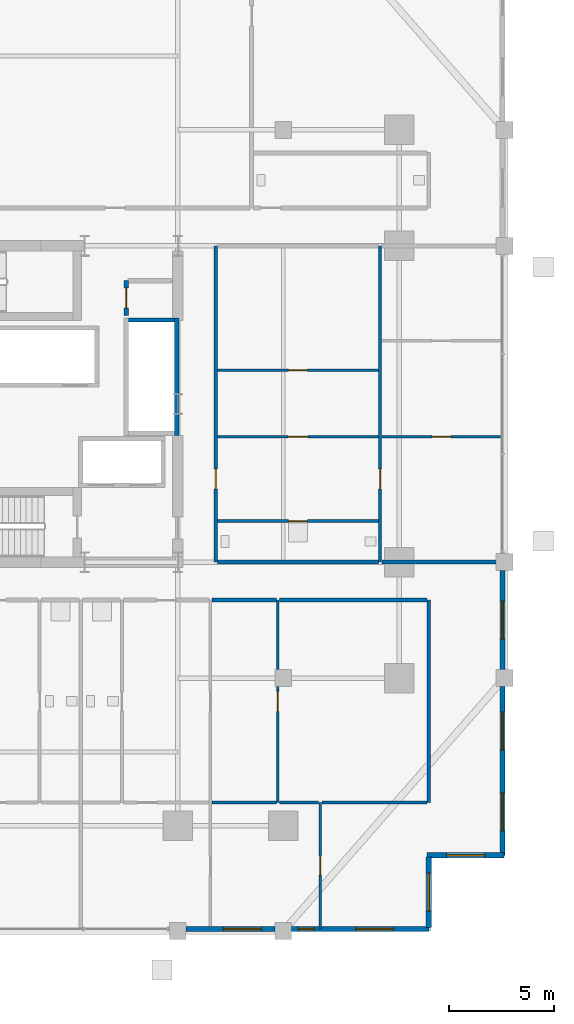
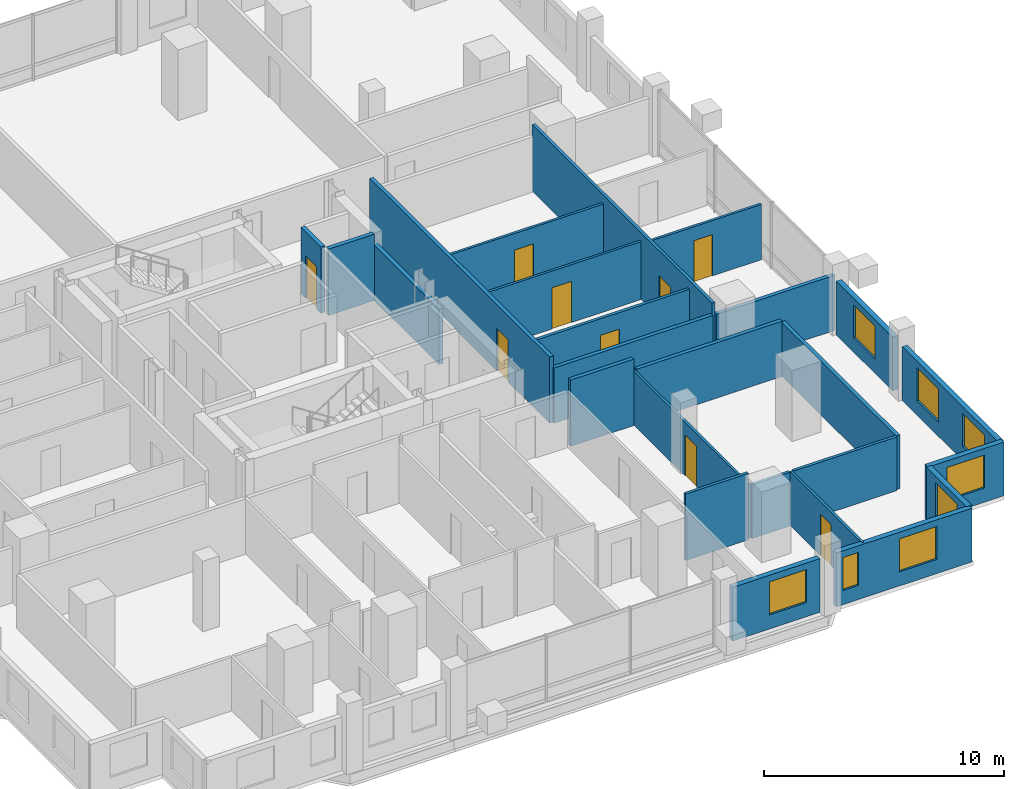
# One storey, part 19 of 23: 25 walls, 9 doors, 8 windows, 17 openings.
"""IFC4 building model written with IfcOpenShell, lengths in metres."""

from ifc_helpers import new_model, si_unit, direction, frame, frame_2d, origin, place, context, subcontext, project, spatial, rectangle, extrude, material, layer, layer_set, type_object, element, fill, save


model = new_model("IFC4")

# Units and contexts
model_context = context("Model", 3, precision=1e-05, world=origin(), true_north=direction((0.0, 1.0)))
body_context = subcontext(model_context, "Body", "Model", "MODEL_VIEW")
ifc_project = project(units=[si_unit("LENGTHUNIT", "METRE"), si_unit("AREAUNIT", "SQUARE_METRE"), si_unit("VOLUMEUNIT", "CUBIC_METRE"), si_unit("PLANEANGLEUNIT", "RADIAN"), si_unit("MASSUNIT", "GRAM", prefix="KILO")], contexts=[model_context])

# Site, building, storey
site_placement = place(None, origin())
site = spatial("IfcSite", under=ifc_project, at=site_placement, CompositionType="ELEMENT")
building_placement = place(site_placement, origin())
building = spatial("IfcBuilding", under=site, at=building_placement, Name="Barlavira Tower and Art Museum", CompositionType="ELEMENT")
storey_placement = place(building_placement, frame((0.0, 0.0, 54.0)))
storey = spatial("IfcBuildingStorey", under=building, at=storey_placement, Name="L12", CompositionType="ELEMENT", Elevation=54.0)

# Wall, opening, door
ifc_material_1 = material(Name="Gypsum acoustic stud partition", Category="gypsum")
ifc_layer_1 = layer(ifc_material_1, 0.1201171875, Name="Gypsum acoustic stud partition")
ifc_layer_set_1 = layer_set([ifc_layer_1], Name="Gypsum acoustic stud partition")
wall_type_1 = type_object("IfcWallType", Name="Apartment Internal Acoustic Partition 120", PredefinedType="PARTITIONING", material=ifc_layer_set_1)
wall_1_placement = place(storey_placement, frame((11.25, -18.89990234375, 0.0), z_axis=(0.0, 0.0, 1.0), x_axis=(0.0, 1.0, 0.0)))
wall_1 = element("IfcWall", 1, at=wall_1_placement, inside=storey, type_object=wall_type_1, Name="L12 Partition Wall 16", PredefinedType="PARTITIONING", context=body_context, shape_type="SweptSolid", body=[
    extrude(rectangle(XDim=9.599853515625, YDim=0.1201171875, at=frame_2d((4.7998046875, 0.0))), origin(), (0.0, 0.0, 1.0), 2.736083984375),
])
opening_1_placement = place(wall_1_placement, frame((4.324951171875, 0.0, 0.0)))
opening_1 = element("IfcOpeningElement", 2, at=opening_1_placement, cuts=wall_1, Name="Opening D-02", PredefinedType="OPENING", context=body_context, shape_type="SweptSolid", body=[
    extrude(rectangle(XDim=0.949951171875, YDim=2.10009765625, at=frame_2d((0.47509765625, 1.050048828125))), frame((0.0, 0.070068359375, 0.0), z_axis=(0.0, -1.0, 0.0), x_axis=(1.0, 0.0, 0.0)), (0.0, 0.0, 1.0), 0.14013671875),
])
ifc_material_2 = material(Name="Engineered coastal hardwood", Category="wood")
door_type_1 = type_object("IfcDoorType", Name="Living and Salon Glazed-Leaf Door 950x2100", OperationType="NOTDEFINED", PredefinedType="DOOR", material=ifc_material_2)
door_1_placement = place(opening_1_placement, origin())
door_1 = element("IfcDoor", 3, at=door_1_placement, inside=storey, type_object=door_type_1, Name="Apartment S2 Dining Salon Door", OperationType="SINGLE_SWING_RIGHT", OverallHeight=2.10009765625, OverallWidth=0.949951171875, PredefinedType="DOOR", context=body_context, shape_type="SweptSolid", body=[
    extrude(rectangle(XDim=0.949951171875, YDim=2.10009765625, at=frame_2d((0.47509765625, 1.050048828125))), frame((0.0, 0.02490234375, 0.0), z_axis=(0.0, -1.0, 0.0), x_axis=(1.0, 0.0, 0.0)), (0.0, 0.0, 1.0), 0.050048828125),
])
fill(opening_1, door_1)

wall_2_placement = place(storey_placement, frame((13.25, -24.89990234375, 0.0), z_axis=(0.0, 0.0, 1.0), x_axis=(0.0, 1.0, 0.0)))
wall_2 = element("IfcWall", 4, at=wall_2_placement, inside=storey, type_object=wall_type_1, Name="L12 Partition Wall 17", PredefinedType="PARTITIONING", context=body_context, shape_type="SweptSolid", body=[
    extrude(rectangle(XDim=6.0, YDim=0.1201171875, at=frame_2d((3.0, 0.0))), origin(), (0.0, 0.0, 1.0), 2.736083984375),
])
opening_2_placement = place(wall_2_placement, frame((2.550048828125, 0.0, 0.0)))
opening_2 = element("IfcOpeningElement", 5, at=opening_2_placement, cuts=wall_2, Name="Opening D-01", PredefinedType="OPENING", context=body_context, shape_type="SweptSolid", body=[
    extrude(rectangle(XDim=0.89990234375, YDim=2.10009765625, at=frame_2d((0.449951171875, 1.050048828125))), frame((0.0, 0.070068359375, 0.0), z_axis=(0.0, -1.0, 0.0), x_axis=(1.0, 0.0, 0.0)), (0.0, 0.0, 1.0), 0.14013671875),
])
door_type_2 = type_object("IfcDoorType", Name="Internal Bedroom Timber Flush Door 900x2100", OperationType="NOTDEFINED", PredefinedType="DOOR", material=ifc_material_2)
door_2_placement = place(opening_2_placement, origin())
door_2 = element("IfcDoor", 6, at=door_2_placement, inside=storey, type_object=door_type_2, Name="Apartment S2 Bedroom 2 Door", OperationType="SINGLE_SWING_LEFT", OverallHeight=2.10009765625, OverallWidth=0.89990234375, PredefinedType="DOOR", context=body_context, shape_type="SweptSolid", body=[
    extrude(rectangle(XDim=0.89990234375, YDim=2.10009765625, at=frame_2d((0.449951171875, 1.050048828125))), frame((0.0, 0.02490234375, 0.0), z_axis=(0.0, -1.0, 0.0), x_axis=(1.0, 0.0, 0.0)), (0.0, 0.0, 1.0), 0.050048828125),
])
fill(opening_2, door_2)

wall_3_placement = place(storey_placement, frame((8.3798828125, -1.550048828125, 0.0), z_axis=(0.0, 0.0, 1.0), x_axis=(1.0, 0.0, 0.0)))
wall_3 = element("IfcWall", 7, at=wall_3_placement, inside=storey, type_object=wall_type_1, Name="L12 Partition Wall 47", PredefinedType="PARTITIONING", context=body_context, shape_type="SweptSolid", body=[
    extrude(rectangle(XDim=7.64013671875, YDim=0.1201171875, at=frame_2d((3.820068359375, 0.0))), origin(), (0.0, 0.0, 1.0), 2.947998046875),
])
opening_3_placement = place(wall_3_placement, frame((3.344970703125, 0.0, 0.0)))
opening_3 = element("IfcOpeningElement", 8, at=opening_3_placement, cuts=wall_3, Name="Opening D-02", PredefinedType="OPENING", context=body_context, shape_type="SweptSolid", body=[
    extrude(rectangle(XDim=0.949951171875, YDim=2.10009765625, at=frame_2d((0.47509765625, 1.050048828125))), frame((0.0, 0.070068359375, 0.0), z_axis=(0.0, -1.0, 0.0), x_axis=(1.0, 0.0, 0.0)), (0.0, 0.0, 1.0), 0.14013671875),
])
door_3_placement = place(opening_3_placement, origin())
door_3 = element("IfcDoor", 9, at=door_3_placement, inside=storey, type_object=door_type_1, Name="Apartment E1 Kitchen Door", OperationType="SINGLE_SWING_RIGHT", OverallHeight=2.10009765625, OverallWidth=0.949951171875, PredefinedType="DOOR", context=body_context, shape_type="SweptSolid", body=[
    extrude(rectangle(XDim=0.949951171875, YDim=2.10009765625, at=frame_2d((0.47509765625, 1.050048828125))), frame((0.0, 0.02490234375, 0.0), z_axis=(0.0, -1.0, 0.0), x_axis=(1.0, 0.0, 0.0)), (0.0, 0.0, 1.0), 0.050048828125),
])
fill(opening_3, door_3)

wall_4_placement = place(storey_placement, frame((16.179931640625, -1.550048828125, 0.0), z_axis=(0.0, 0.0, 1.0), x_axis=(1.0, 0.0, 0.0)))
wall_4 = element("IfcWall", 10, at=wall_4_placement, inside=storey, type_object=wall_type_1, Name="L12 Partition Wall 48", PredefinedType="PARTITIONING", context=body_context, shape_type="SweptSolid", body=[
    extrude(rectangle(XDim=5.64013671875, YDim=0.1201171875, at=frame_2d((2.820068359375, 0.0))), origin(), (0.0, 0.0, 1.0), 2.81591796875),
])
opening_4_placement = place(wall_4_placement, frame((2.3701171875, 0.0, 0.0)))
opening_4 = element("IfcOpeningElement", 11, at=opening_4_placement, cuts=wall_4, Name="Opening D-01", PredefinedType="OPENING", context=body_context, shape_type="SweptSolid", body=[
    extrude(rectangle(XDim=0.89990234375, YDim=2.10009765625, at=frame_2d((0.449951171875, 1.050048828125))), frame((0.0, 0.070068359375, 0.0), z_axis=(0.0, -1.0, 0.0), x_axis=(1.0, 0.0, 0.0)), (0.0, 0.0, 1.0), 0.14013671875),
])
door_4_placement = place(opening_4_placement, origin())
door_4 = element("IfcDoor", 12, at=door_4_placement, inside=storey, type_object=door_type_2, Name="Apartment E1 Bedroom 1 Door", OperationType="SINGLE_SWING_LEFT", OverallHeight=2.10009765625, OverallWidth=0.89990234375, PredefinedType="DOOR", context=body_context, shape_type="SweptSolid", body=[
    extrude(rectangle(XDim=0.89990234375, YDim=2.10009765625, at=frame_2d((0.449951171875, 1.050048828125))), frame((0.0, 0.02490234375, 0.0), z_axis=(0.0, -1.0, 0.0), x_axis=(1.0, 0.0, 0.0)), (0.0, 0.0, 1.0), 0.050048828125),
])
fill(opening_4, door_4)

wall_5_placement = place(storey_placement, frame((8.3798828125, 1.60009765625, 0.0), z_axis=(0.0, 0.0, 1.0), x_axis=(1.0, 0.0, 0.0)))
wall_5 = element("IfcWall", 13, at=wall_5_placement, inside=storey, type_object=wall_type_1, Name="L12 Partition Wall 52", PredefinedType="PARTITIONING", context=body_context, shape_type="SweptSolid", body=[
    extrude(rectangle(XDim=7.64013671875, YDim=0.1201171875, at=frame_2d((3.820068359375, 0.0))), origin(), (0.0, 0.0, 1.0), 2.947998046875),
])
opening_5_placement = place(wall_5_placement, frame((3.3701171875, 0.0, 0.0)))
opening_5 = element("IfcOpeningElement", 14, at=opening_5_placement, cuts=wall_5, Name="Opening D-01", PredefinedType="OPENING", context=body_context, shape_type="SweptSolid", body=[
    extrude(rectangle(XDim=0.89990234375, YDim=2.10009765625, at=frame_2d((0.449951171875, 1.050048828125))), frame((0.0, 0.070068359375, 0.0), z_axis=(0.0, -1.0, 0.0), x_axis=(1.0, 0.0, 0.0)), (0.0, 0.0, 1.0), 0.14013671875),
])
door_5_placement = place(opening_5_placement, origin())
door_5 = element("IfcDoor", 15, at=door_5_placement, inside=storey, type_object=door_type_2, Name="Apartment E1 Walk-In Dressing Room Door", OperationType="SINGLE_SWING_LEFT", OverallHeight=2.10009765625, OverallWidth=0.89990234375, PredefinedType="DOOR", context=body_context, shape_type="SweptSolid", body=[
    extrude(rectangle(XDim=0.89990234375, YDim=2.10009765625, at=frame_2d((0.449951171875, 1.050048828125))), frame((0.0, 0.02490234375, 0.0), z_axis=(0.0, -1.0, 0.0), x_axis=(1.0, 0.0, 0.0)), (0.0, 0.0, 1.0), 0.050048828125),
])
fill(opening_5, door_5)

# Walls
ifc_material_3 = material(Name="Autoclaved aerated concrete masonry", Category="masonry")
ifc_layer_2 = layer(ifc_material_3, 0.199951171875, Name="Autoclaved aerated concrete masonry")
ifc_layer_set_2 = layer_set([ifc_layer_2], Name="Autoclaved aerated concrete masonry")
wall_type_2 = type_object("IfcWallType", Name="Fire Compartment and Shaft Wall 200", PredefinedType="SOLIDWALL", material=ifc_layer_set_2)
wall_6_placement = place(storey_placement, frame((6.449951171875, -1.489990234375, 0.0), z_axis=(0.0, 0.0, 1.0), x_axis=(0.0, 1.0, 0.0)))
element("IfcWall", 16, at=wall_6_placement, inside=storey, type_object=wall_type_2, Name="L12 Mid-Rise Lift Back Shaft Wall", PredefinedType="SOLIDWALL", context=body_context, shape_type="SweptSolid", body=[
    extrude(rectangle(XDim=5.580078125, YDim=0.199951171875, at=frame_2d((2.7900390625, 0.0))), origin(), (0.0, 0.0, 1.0), 2.81591796875),
])
wall_7_placement = place(storey_placement, frame((4.14990234375, 3.989990234375, 0.0), z_axis=(0.0, 0.0, 1.0), x_axis=(1.0, 0.0, 0.0)))
element("IfcWall", 17, at=wall_7_placement, inside=storey, type_object=wall_type_2, Name="L12 Mid-Rise Lift North Shaft Wall", PredefinedType="SOLIDWALL", context=body_context, shape_type="SweptSolid", body=[
    extrude(rectangle(XDim=2.2001953125, YDim=0.199951171875, at=frame_2d((1.10009765625, 0.0))), origin(), (0.0, 0.0, 1.0), 3.3798828125),
])

# Wall, opening, door
wall_8_placement = place(storey_placement, frame((4.050048828125, 4.199951171875, 0.0), z_axis=(0.0, 0.0, 1.0), x_axis=(0.0, 1.0, 0.0)))
wall_8 = element("IfcWall", 18, at=wall_8_placement, inside=storey, type_object=wall_type_2, Name="L12 Partition Wall 12", PredefinedType="SOLIDWALL", context=body_context, shape_type="SweptSolid", body=[
    extrude(rectangle(XDim=1.650146484375, YDim=0.199951171875, at=frame_2d((0.8251953125, 0.0))), origin(), (0.0, 0.0, 1.0), 3.3798828125),
])
opening_6_placement = place(wall_8_placement, frame((0.344970703125, 0.0, 0.0)))
opening_6 = element("IfcOpeningElement", 19, at=opening_6_placement, cuts=wall_8, Name="Opening FD-60", PredefinedType="OPENING", context=body_context, shape_type="SweptSolid", body=[
    extrude(rectangle(XDim=0.949951171875, YDim=2.14990234375, at=frame_2d((0.47509765625, 1.074951171875))), frame((0.0, 0.10986328125, 0.0), z_axis=(0.0, -1.0, 0.0), x_axis=(1.0, 0.0, 0.0)), (0.0, 0.0, 1.0), 0.219970703125),
])
ifc_material_4 = material(Name="Brushed stainless steel", Category="steel")
door_type_3 = type_object("IfcDoorType", Name="Apartment Entrance and Riser Fire Door 950x2150 FD60S", OperationType="NOTDEFINED", PredefinedType="DOOR", material=ifc_material_4)
door_6_placement = place(opening_6_placement, origin())
door_6 = element("IfcDoor", 20, at=door_6_placement, inside=storey, type_object=door_type_3, Name="Telecom and BMS Distribution Room Door", OperationType="SINGLE_SWING_RIGHT", OverallHeight=2.14990234375, OverallWidth=0.949951171875, PredefinedType="DOOR", context=body_context, shape_type="SweptSolid", body=[
    extrude(rectangle(XDim=0.949951171875, YDim=2.14990234375, at=frame_2d((0.47509765625, 1.074951171875))), frame((0.0, 0.02490234375, 0.0), z_axis=(0.0, -1.0, 0.0), x_axis=(1.0, 0.0, 0.0)), (0.0, 0.0, 1.0), 0.050048828125),
])
fill(opening_6, door_6)

ifc_layer_3 = layer(ifc_material_1, 0.179931640625, Name="Gypsum acoustic stud partition")
ifc_layer_set_3 = layer_set([ifc_layer_3], Name="Gypsum acoustic stud partition")
wall_type_3 = type_object("IfcWallType", Name="Inter-Tenancy Party Partition Wall 180", PredefinedType="PARTITIONING", material=ifc_layer_set_3)
wall_9_placement = place(storey_placement, frame((8.300048828125, -7.5, 0.0), z_axis=(0.0, 0.0, 1.0), x_axis=(0.0, 1.0, 0.0)))
wall_9 = element("IfcWall", 21, at=wall_9_placement, inside=storey, type_object=wall_type_3, Name="L12 Partition Wall 14", PredefinedType="PARTITIONING", context=body_context, shape_type="SweptSolid", body=[
    extrude(rectangle(XDim=15.0, YDim=0.179931640625, at=frame_2d((7.5, 0.0))), origin(), (0.0, 0.0, 1.0), 3.3798828125),
])
opening_7_placement = place(wall_9_placement, frame((3.47509765625, 0.0, 0.0)))
opening_7 = element("IfcOpeningElement", 22, at=opening_7_placement, cuts=wall_9, Name="Opening FD-60", PredefinedType="OPENING", context=body_context, shape_type="SweptSolid", body=[
    extrude(rectangle(XDim=0.949951171875, YDim=2.14990234375, at=frame_2d((0.47509765625, 1.074951171875))), frame((0.0, 0.10009765625, 0.0), z_axis=(0.0, -1.0, 0.0), x_axis=(1.0, 0.0, 0.0)), (0.0, 0.0, 1.0), 0.199951171875),
])
door_7_placement = place(opening_7_placement, origin())
door_7 = element("IfcDoor", 23, at=door_7_placement, inside=storey, type_object=door_type_3, Name="Apartment Entrance Hall E1 Door", OperationType="SINGLE_SWING_LEFT", OverallHeight=2.14990234375, OverallWidth=0.949951171875, PredefinedType="DOOR", context=body_context, shape_type="SweptSolid", body=[
    extrude(rectangle(XDim=0.949951171875, YDim=2.14990234375, at=frame_2d((0.47509765625, 1.074951171875))), frame((0.0, 0.02490234375, 0.0), z_axis=(0.0, -1.0, 0.0), x_axis=(1.0, 0.0, 0.0)), (0.0, 0.0, 1.0), 0.050048828125),
])
fill(opening_7, door_7)

# Walls
wall_10_placement = place(storey_placement, frame((18.39990234375, -18.89990234375, 0.0), z_axis=(0.0, 0.0, 1.0), x_axis=(0.0, 1.0, 0.0)))
element("IfcWall", 24, at=wall_10_placement, inside=storey, type_object=wall_type_3, Name="L12 Partition Wall 19", PredefinedType="PARTITIONING", context=body_context, shape_type="SweptSolid", body=[
    extrude(rectangle(XDim=9.599853515625, YDim=0.179931640625, at=frame_2d((4.7998046875, 0.0))), origin(), (0.0, 0.0, 1.0), 2.736083984375),
])
wall_11_placement = place(storey_placement, frame((8.1298828125, -9.300048828125, 0.0), z_axis=(0.0, 0.0, 1.0), x_axis=(1.0, 0.0, 0.0)))
element("IfcWall", 25, at=wall_11_placement, inside=storey, type_object=wall_type_3, Name="L12 Partition Wall 38", PredefinedType="PARTITIONING", context=body_context, shape_type="SweptSolid", body=[
    extrude(rectangle(XDim=3.0400390625, YDim=0.179931640625, at=frame_2d((1.52001953125, 0.0))), origin(), (0.0, 0.0, 1.0), 3.3798828125),
])
wall_12_placement = place(storey_placement, frame((11.330078125, -9.300048828125, 0.0), z_axis=(0.0, 0.0, 1.0), x_axis=(1.0, 0.0, 0.0)))
element("IfcWall", 26, at=wall_12_placement, inside=storey, type_object=wall_type_3, Name="L12 Partition Wall 39", PredefinedType="PARTITIONING", context=body_context, shape_type="SweptSolid", body=[
    extrude(rectangle(XDim=6.989990234375, YDim=0.179931640625, at=frame_2d((3.4951171875, 0.0))), origin(), (0.0, 0.0, 1.0), 2.81591796875),
])
wall_13_placement = place(storey_placement, frame((8.3798828125, -7.5, 0.0), z_axis=(0.0, 0.0, 1.0), x_axis=(1.0, 0.0, 0.0)))
element("IfcWall", 27, at=wall_13_placement, inside=storey, type_object=wall_type_3, Name="L12 Partition Wall 42", PredefinedType="PARTITIONING", context=body_context, shape_type="SweptSolid", body=[
    extrude(rectangle(XDim=7.64013671875, YDim=0.179931640625, at=frame_2d((3.820068359375, 0.0))), origin(), (0.0, 0.0, 1.0), 2.81591796875),
])
wall_14_placement = place(storey_placement, frame((16.179931640625, -7.5, 0.0), z_axis=(0.0, 0.0, 1.0), x_axis=(1.0, 0.0, 0.0)))
element("IfcWall", 28, at=wall_14_placement, inside=storey, type_object=wall_type_3, Name="L12 Partition Wall 43", PredefinedType="PARTITIONING", context=body_context, shape_type="SweptSolid", body=[
    extrude(rectangle(XDim=5.719970703125, YDim=0.179931640625, at=frame_2d((2.85986328125, 0.0))), origin(), (0.0, 0.0, 1.0), 2.81591796875),
])

# Wall, opening, door
ifc_layer_4 = layer(ifc_material_1, 0.139892578125, Name="Gypsum acoustic stud partition")
ifc_layer_set_4 = layer_set([ifc_layer_4], Name="Gypsum acoustic stud partition")
wall_type_4 = type_object("IfcWallType", Name="Moisture-Resistant Bathroom Partition 140", PredefinedType="PARTITIONING", material=ifc_layer_set_4)
wall_15_placement = place(storey_placement, frame((16.10009765625, -7.5, 0.0), z_axis=(0.0, 0.0, 1.0), x_axis=(0.0, 1.0, 0.0)))
wall_15 = element("IfcWall", 29, at=wall_15_placement, inside=storey, type_object=wall_type_4, Name="L12 Partition Wall 18", PredefinedType="PARTITIONING", context=body_context, shape_type="SweptSolid", body=[
    extrude(rectangle(XDim=15.0, YDim=0.139892578125, at=frame_2d((7.5, 0.0))), origin(), (0.0, 0.0, 1.0), 3.3798828125),
])
opening_8_placement = place(wall_15_placement, frame((3.47509765625, 0.0, 0.0)))
opening_8 = element("IfcOpeningElement", 30, at=opening_8_placement, cuts=wall_15, Name="Opening D-02", PredefinedType="OPENING", context=body_context, shape_type="SweptSolid", body=[
    extrude(rectangle(XDim=0.949951171875, YDim=2.10009765625, at=frame_2d((0.47509765625, 1.050048828125))), frame((0.0, 0.080078125, 0.0), z_axis=(0.0, -1.0, 0.0), x_axis=(1.0, 0.0, 0.0)), (0.0, 0.0, 1.0), 0.159912109375),
])
door_8_placement = place(opening_8_placement, origin())
door_8 = element("IfcDoor", 31, at=door_8_placement, inside=storey, type_object=door_type_1, Name="Apartment E1 Living Lounge Door", OperationType="SINGLE_SWING_RIGHT", OverallHeight=2.10009765625, OverallWidth=0.949951171875, PredefinedType="DOOR", context=body_context, shape_type="SweptSolid", body=[
    extrude(rectangle(XDim=0.949951171875, YDim=2.10009765625, at=frame_2d((0.47509765625, 1.050048828125))), frame((0.0, 0.02490234375, 0.0), z_axis=(0.0, -1.0, 0.0), x_axis=(1.0, 0.0, 0.0)), (0.0, 0.0, 1.0), 0.050048828125),
])
fill(opening_8, door_8)

# Walls
wall_16_placement = place(storey_placement, frame((8.1298828125, -18.89990234375, 0.0), z_axis=(0.0, 0.0, 1.0), x_axis=(1.0, 0.0, 0.0)))
element("IfcWall", 32, at=wall_16_placement, inside=storey, type_object=wall_type_4, Name="L12 Partition Wall 29", PredefinedType="PARTITIONING", context=body_context, shape_type="SweptSolid", body=[
    extrude(rectangle(XDim=3.0400390625, YDim=0.139892578125, at=frame_2d((1.52001953125, 0.0))), origin(), (0.0, 0.0, 1.0), 3.3798828125),
])
wall_17_placement = place(storey_placement, frame((11.330078125, -18.89990234375, 0.0), z_axis=(0.0, 0.0, 1.0), x_axis=(1.0, 0.0, 0.0)))
element("IfcWall", 33, at=wall_17_placement, inside=storey, type_object=wall_type_4, Name="L12 Partition Wall 30", PredefinedType="PARTITIONING", context=body_context, shape_type="SweptSolid", body=[
    extrude(rectangle(XDim=1.83984375, YDim=0.139892578125, at=frame_2d((0.919921875, 0.0))), origin(), (0.0, 0.0, 1.0), 2.736083984375),
])
wall_18_placement = place(storey_placement, frame((13.330078125, -18.89990234375, 0.0), z_axis=(0.0, 0.0, 1.0), x_axis=(1.0, 0.0, 0.0)))
element("IfcWall", 34, at=wall_18_placement, inside=storey, type_object=wall_type_4, Name="L12 Partition Wall 31", PredefinedType="PARTITIONING", context=body_context, shape_type="SweptSolid", body=[
    extrude(rectangle(XDim=4.989990234375, YDim=0.139892578125, at=frame_2d((2.4951171875, 0.0))), origin(), (0.0, 0.0, 1.0), 2.736083984375),
])

# Wall, opening, door
wall_19_placement = place(storey_placement, frame((8.3798828125, -5.550048828125, 0.0), z_axis=(0.0, 0.0, 1.0), x_axis=(1.0, 0.0, 0.0)))
wall_19 = element("IfcWall", 35, at=wall_19_placement, inside=storey, type_object=wall_type_4, Name="L12 Partition Wall 45", PredefinedType="PARTITIONING", context=body_context, shape_type="SweptSolid", body=[
    extrude(rectangle(XDim=7.64013671875, YDim=0.139892578125, at=frame_2d((3.820068359375, 0.0))), origin(), (0.0, 0.0, 1.0), 2.947998046875),
])
opening_9_placement = place(wall_19_placement, frame((3.3701171875, 0.0, 0.0)))
opening_9 = element("IfcOpeningElement", 36, at=opening_9_placement, cuts=wall_19, Name="Opening D-WC", PredefinedType="OPENING", context=body_context, shape_type="SweptSolid", body=[
    extrude(rectangle(XDim=0.89990234375, YDim=2.10009765625, at=frame_2d((0.449951171875, 1.050048828125))), frame((0.0, 0.080078125, 0.0), z_axis=(0.0, -1.0, 0.0), x_axis=(1.0, 0.0, 0.0)), (0.0, 0.0, 1.0), 0.159912109375),
])
door_type_4 = type_object("IfcDoorType", Name="Accessible Bathroom Flush Door 900x2100", OperationType="NOTDEFINED", PredefinedType="DOOR", material=ifc_material_2)
door_9_placement = place(opening_9_placement, origin())
door_9 = element("IfcDoor", 37, at=door_9_placement, inside=storey, type_object=door_type_4, Name="Apartment E1 Hall Bathroom Door", OperationType="SINGLE_SWING_RIGHT", OverallHeight=2.10009765625, OverallWidth=0.89990234375, PredefinedType="DOOR", context=body_context, shape_type="SweptSolid", body=[
    extrude(rectangle(XDim=0.89990234375, YDim=2.10009765625, at=frame_2d((0.449951171875, 1.050048828125))), frame((0.0, 0.02490234375, 0.0), z_axis=(0.0, -1.0, 0.0), x_axis=(1.0, 0.0, 0.0)), (0.0, 0.0, 1.0), 0.050048828125),
])
fill(opening_9, door_9)

# Wall, opening, window
ifc_material_5 = material(Name="Precast concrete C40", Category="concrete")
ifc_layer_5 = layer(ifc_material_5, 0.25, Name="Precast concrete C40")
ifc_layer_set_5 = layer_set([ifc_layer_5], Name="Precast concrete C40")
wall_type_5 = type_object("IfcWallType", Name="Notched Corner Spandrel Wall 250 Precast Concrete C40", PredefinedType="SOLIDWALL", material=ifc_layer_set_5)
wall_20_placement = place(storey_placement, frame((6.89501953125, -24.89990234375, 0.0), z_axis=(0.0, 0.0, 1.0), x_axis=(1.0, 0.0, 0.0)))
wall_20 = element("IfcWall", 38, at=wall_20_placement, inside=storey, type_object=wall_type_5, Name="L12 Coastal Facade Pier Wall CW1-L12-S-4", PredefinedType="SOLIDWALL", context=body_context, shape_type="SweptSolid", body=[
    extrude(rectangle(XDim=4.2099609375, YDim=0.25, at=frame_2d((2.10498046875, 0.0))), origin(), (0.0, 0.0, 1.0), 2.736083984375),
])
opening_10_placement = place(wall_20_placement, frame((1.77001953125, 0.0, 0.719970703125)))
opening_10 = element("IfcOpeningElement", 39, at=opening_10_placement, cuts=wall_20, Name="Opening WN-01", PredefinedType="OPENING", context=body_context, shape_type="SweptSolid", body=[
    extrude(rectangle(XDim=1.800048828125, YDim=1.679931640625, at=frame_2d((0.89990234375, 0.83984375))), frame((0.0, 0.135009765625, 0.0), z_axis=(0.0, -1.0, 0.0), x_axis=(1.0, 0.0, 0.0)), (0.0, 0.0, 1.0), 0.27001953125),
])
ifc_material_6 = material(Name="Low-iron coastal laminated glass", Category="glass")
window_type_1 = type_object("IfcWindowType", Name="Recessed Notch Corner Punch Window 1800x1680", PartitioningType="SINGLE_PANEL", PredefinedType="WINDOW", material=ifc_material_6)
window_1_placement = place(opening_10_placement, origin())
window_1 = element("IfcWindow", 40, at=window_1_placement, inside=storey, type_object=window_type_1, Name="L12 Punched Facade Window EWP-CW1-L12-S-4-1", OverallHeight=1.679931640625, OverallWidth=1.800048828125, PartitioningType="SINGLE_PANEL", PredefinedType="WINDOW", context=body_context, shape_type="SweptSolid", body=[
    extrude(rectangle(XDim=1.800048828125, YDim=1.679931640625, at=frame_2d((0.89990234375, 0.83984375))), frame((0.0, 0.030029296875, 0.0), z_axis=(0.0, -1.0, 0.0), x_axis=(1.0, 0.0, 0.0)), (0.0, 0.0, 1.0), 0.06005859375),
])
fill(opening_10, window_1)

# Wall, openings, windows
wall_21_placement = place(storey_placement, frame((11.89501953125, -24.89990234375, 0.0), z_axis=(0.0, 0.0, 1.0), x_axis=(1.0, 0.0, 0.0)))
wall_21 = element("IfcWall", 41, at=wall_21_placement, inside=storey, type_object=wall_type_5, Name="L12 Coastal Facade Pier Wall CW1-L12-S-5", PredefinedType="SOLIDWALL", context=body_context, shape_type="SweptSolid", body=[
    extrude(rectangle(XDim=6.530029296875, YDim=0.25, at=frame_2d((3.26513671875, 0.0))), origin(), (0.0, 0.0, 1.0), 2.736083984375),
])
opening_11_placement = place(wall_21_placement, frame((0.31494140625, 0.0, 0.719970703125)))
opening_11 = element("IfcOpeningElement", 42, at=opening_11_placement, cuts=wall_21, Name="Opening WN-06", PredefinedType="OPENING", context=body_context, shape_type="SweptSolid", body=[
    extrude(rectangle(XDim=0.760009765625, YDim=1.679931640625, at=frame_2d((0.3798828125, 0.83984375))), frame((0.0, 0.135009765625, 0.0), z_axis=(0.0, -1.0, 0.0), x_axis=(1.0, 0.0, 0.0)), (0.0, 0.0, 1.0), 0.27001953125),
])
opening_12_placement = place(wall_21_placement, frame((3.0380859375, 0.0, 0.719970703125)))
opening_12 = element("IfcOpeningElement", 43, at=opening_12_placement, cuts=wall_21, Name="Opening WN-01", PredefinedType="OPENING", context=body_context, shape_type="SweptSolid", body=[
    extrude(rectangle(XDim=1.800048828125, YDim=1.679931640625, at=frame_2d((0.89990234375, 0.83984375))), frame((0.0, 0.135009765625, 0.0), z_axis=(0.0, -1.0, 0.0), x_axis=(1.0, 0.0, 0.0)), (0.0, 0.0, 1.0), 0.27001953125),
])
window_type_2 = type_object("IfcWindowType", Name="Recessed Narrow Pier Window 760x1680", PartitioningType="SINGLE_PANEL", PredefinedType="WINDOW", material=ifc_material_6)
window_2_placement = place(opening_11_placement, origin())
window_2 = element("IfcWindow", 44, at=window_2_placement, inside=storey, type_object=window_type_2, Name="L12 Punched Facade Window EWP-CW1-L12-S-5-1", OverallHeight=1.679931640625, OverallWidth=0.760009765625, PartitioningType="SINGLE_PANEL", PredefinedType="WINDOW", context=body_context, shape_type="SweptSolid", body=[
    extrude(rectangle(XDim=0.760009765625, YDim=1.679931640625, at=frame_2d((0.3798828125, 0.83984375))), frame((0.0, 0.030029296875, 0.0), z_axis=(0.0, -1.0, 0.0), x_axis=(1.0, 0.0, 0.0)), (0.0, 0.0, 1.0), 0.06005859375),
])
fill(opening_11, window_2)
window_3_placement = place(opening_12_placement, origin())
window_3 = element("IfcWindow", 45, at=window_3_placement, inside=storey, type_object=window_type_1, Name="L12 Punched Facade Window EWP-CW1-L12-S-5-2", OverallHeight=1.679931640625, OverallWidth=1.800048828125, PartitioningType="SINGLE_PANEL", PredefinedType="WINDOW", context=body_context, shape_type="SweptSolid", body=[
    extrude(rectangle(XDim=1.800048828125, YDim=1.679931640625, at=frame_2d((0.89990234375, 0.83984375))), frame((0.0, 0.030029296875, 0.0), z_axis=(0.0, -1.0, 0.0), x_axis=(1.0, 0.0, 0.0)), (0.0, 0.0, 1.0), 0.06005859375),
])
fill(opening_12, window_3)

wall_22_placement = place(storey_placement, frame((21.89990234375, -21.425048828125, 0.0), z_axis=(0.0, 0.0, 1.0), x_axis=(0.0, 1.0, 0.0)))
wall_22 = element("IfcWall", 46, at=wall_22_placement, inside=storey, type_object=wall_type_5, Name="L12 Coastal Facade Pier Wall CW1-L12-E-1", PredefinedType="SOLIDWALL", context=body_context, shape_type="SweptSolid", body=[
    extrude(rectangle(XDim=8.030029296875, YDim=0.25, at=frame_2d((4.01513671875, 0.0))), origin(), (0.0, 0.0, 1.0), 2.736083984375),
])
opening_13_placement = place(wall_22_placement, frame((1.176025390625, 0.0, 0.719970703125)))
opening_13 = element("IfcOpeningElement", 47, at=opening_13_placement, cuts=wall_22, Name="Opening WN-01", PredefinedType="OPENING", context=body_context, shape_type="SweptSolid", body=[
    extrude(rectangle(XDim=1.800048828125, YDim=1.679931640625, at=frame_2d((0.89990234375, 0.83984375))), frame((0.0, 0.135009765625, 0.0), z_axis=(0.0, -1.0, 0.0), x_axis=(1.0, 0.0, 0.0)), (0.0, 0.0, 1.0), 0.27001953125),
])
opening_14_placement = place(wall_22_placement, frame((5.009033203125, 0.0, 0.719970703125)))
opening_14 = element("IfcOpeningElement", 48, at=opening_14_placement, cuts=wall_22, Name="Opening WN-01", PredefinedType="OPENING", context=body_context, shape_type="SweptSolid", body=[
    extrude(rectangle(XDim=1.800048828125, YDim=1.679931640625, at=frame_2d((0.89990234375, 0.83984375))), frame((0.0, 0.135009765625, 0.0), z_axis=(0.0, -1.0, 0.0), x_axis=(1.0, 0.0, 0.0)), (0.0, 0.0, 1.0), 0.27001953125),
])
window_4_placement = place(opening_13_placement, origin())
window_4 = element("IfcWindow", 49, at=window_4_placement, inside=storey, type_object=window_type_1, Name="L12 Punched Facade Window EWP-CW1-L12-E-1-1", OverallHeight=1.679931640625, OverallWidth=1.800048828125, PartitioningType="SINGLE_PANEL", PredefinedType="WINDOW", context=body_context, shape_type="SweptSolid", body=[
    extrude(rectangle(XDim=1.800048828125, YDim=1.679931640625, at=frame_2d((0.89990234375, 0.83984375))), frame((0.0, 0.030029296875, 0.0), z_axis=(0.0, -1.0, 0.0), x_axis=(1.0, 0.0, 0.0)), (0.0, 0.0, 1.0), 0.06005859375),
])
fill(opening_13, window_4)
window_5_placement = place(opening_14_placement, origin())
window_5 = element("IfcWindow", 50, at=window_5_placement, inside=storey, type_object=window_type_1, Name="L12 Punched Facade Window EWP-CW1-L12-E-1-2", OverallHeight=1.679931640625, OverallWidth=1.800048828125, PartitioningType="SINGLE_PANEL", PredefinedType="WINDOW", context=body_context, shape_type="SweptSolid", body=[
    extrude(rectangle(XDim=1.800048828125, YDim=1.679931640625, at=frame_2d((0.89990234375, 0.83984375))), frame((0.0, 0.030029296875, 0.0), z_axis=(0.0, -1.0, 0.0), x_axis=(1.0, 0.0, 0.0)), (0.0, 0.0, 1.0), 0.06005859375),
])
fill(opening_14, window_5)

# Wall, opening, window
wall_23_placement = place(storey_placement, frame((21.89990234375, -12.60498046875, 0.0), z_axis=(0.0, 0.0, 1.0), x_axis=(0.0, 1.0, 0.0)))
wall_23 = element("IfcWall", 51, at=wall_23_placement, inside=storey, type_object=wall_type_5, Name="L12 Coastal Facade Pier Wall CW1-L12-E-2", PredefinedType="SOLIDWALL", context=body_context, shape_type="SweptSolid", body=[
    extrude(rectangle(XDim=4.7099609375, YDim=0.25, at=frame_2d((2.35498046875, 0.0))), origin(), (0.0, 0.0, 1.0), 2.736083984375),
])
opening_15_placement = place(wall_23_placement, frame((1.455078125, 0.0, 0.719970703125)))
opening_15 = element("IfcOpeningElement", 52, at=opening_15_placement, cuts=wall_23, Name="Opening WN-01", PredefinedType="OPENING", context=body_context, shape_type="SweptSolid", body=[
    extrude(rectangle(XDim=1.800048828125, YDim=1.679931640625, at=frame_2d((0.89990234375, 0.83984375))), frame((0.0, 0.135009765625, 0.0), z_axis=(0.0, -1.0, 0.0), x_axis=(1.0, 0.0, 0.0)), (0.0, 0.0, 1.0), 0.27001953125),
])
window_6_placement = place(opening_15_placement, origin())
window_6 = element("IfcWindow", 53, at=window_6_placement, inside=storey, type_object=window_type_1, Name="L12 Punched Facade Window EWP-CW1-L12-E-2-1", OverallHeight=1.679931640625, OverallWidth=1.800048828125, PartitioningType="SINGLE_PANEL", PredefinedType="WINDOW", context=body_context, shape_type="SweptSolid", body=[
    extrude(rectangle(XDim=1.800048828125, YDim=1.679931640625, at=frame_2d((0.89990234375, 0.83984375))), frame((0.0, 0.030029296875, 0.0), z_axis=(0.0, -1.0, 0.0), x_axis=(1.0, 0.0, 0.0)), (0.0, 0.0, 1.0), 0.06005859375),
])
fill(opening_15, window_6)

wall_24_placement = place(storey_placement, frame((18.39990234375, -24.820068359375, 0.0), z_axis=(0.0, 0.0, 1.0), x_axis=(0.0, 1.0, 0.0)))
wall_24 = element("IfcWall", 54, at=wall_24_placement, inside=storey, type_object=wall_type_5, Name="L12 Notch Corner Wall SE1", PredefinedType="SOLIDWALL", context=body_context, shape_type="SweptSolid", body=[
    extrude(rectangle(XDim=3.340087890625, YDim=0.25, at=frame_2d((1.669921875, 0.0))), origin(), (0.0, 0.0, 1.0), 2.736083984375),
])
opening_16_placement = place(wall_24_placement, frame((0.77001953125, 0.0, 0.719970703125)))
opening_16 = element("IfcOpeningElement", 55, at=opening_16_placement, cuts=wall_24, Name="Opening WN-01", PredefinedType="OPENING", context=body_context, shape_type="SweptSolid", body=[
    extrude(rectangle(XDim=1.800048828125, YDim=1.679931640625, at=frame_2d((0.89990234375, 0.83984375))), frame((0.0, 0.135009765625, 0.0), z_axis=(0.0, -1.0, 0.0), x_axis=(1.0, 0.0, 0.0)), (0.0, 0.0, 1.0), 0.27001953125),
])
window_7_placement = place(opening_16_placement, origin())
window_7 = element("IfcWindow", 56, at=window_7_placement, inside=storey, type_object=window_type_1, Name="L12 Punched Facade Window EW-NTC-L12-SE1-1", OverallHeight=1.679931640625, OverallWidth=1.800048828125, PartitioningType="SINGLE_PANEL", PredefinedType="WINDOW", context=body_context, shape_type="SweptSolid", body=[
    extrude(rectangle(XDim=1.800048828125, YDim=1.679931640625, at=frame_2d((0.89990234375, 0.83984375))), frame((0.0, 0.030029296875, 0.0), z_axis=(0.0, -1.0, 0.0), x_axis=(1.0, 0.0, 0.0)), (0.0, 0.0, 1.0), 0.06005859375),
])
fill(opening_16, window_7)

wall_25_placement = place(storey_placement, frame((18.320068359375, -21.39990234375, 0.0), z_axis=(0.0, 0.0, 1.0), x_axis=(1.0, 0.0, 0.0)))
wall_25 = element("IfcWall", 57, at=wall_25_placement, inside=storey, type_object=wall_type_5, Name="L12 Notch Corner Wall SE2", PredefinedType="SOLIDWALL", context=body_context, shape_type="SweptSolid", body=[
    extrude(rectangle(XDim=3.659912109375, YDim=0.25, at=frame_2d((1.830078125, 0.0))), origin(), (0.0, 0.0, 1.0), 2.736083984375),
])
opening_17_placement = place(wall_25_placement, frame((0.929931640625, 0.0, 0.719970703125)))
opening_17 = element("IfcOpeningElement", 58, at=opening_17_placement, cuts=wall_25, Name="Opening WN-01", PredefinedType="OPENING", context=body_context, shape_type="SweptSolid", body=[
    extrude(rectangle(XDim=1.800048828125, YDim=1.679931640625, at=frame_2d((0.89990234375, 0.83984375))), frame((0.0, 0.135009765625, 0.0), z_axis=(0.0, -1.0, 0.0), x_axis=(1.0, 0.0, 0.0)), (0.0, 0.0, 1.0), 0.27001953125),
])
window_8_placement = place(opening_17_placement, origin())
window_8 = element("IfcWindow", 59, at=window_8_placement, inside=storey, type_object=window_type_1, Name="L12 Punched Facade Window EW-NTC-L12-SE2-1", OverallHeight=1.679931640625, OverallWidth=1.800048828125, PartitioningType="SINGLE_PANEL", PredefinedType="WINDOW", context=body_context, shape_type="SweptSolid", body=[
    extrude(rectangle(XDim=1.800048828125, YDim=1.679931640625, at=frame_2d((0.89990234375, 0.83984375))), frame((0.0, 0.030029296875, 0.0), z_axis=(0.0, -1.0, 0.0), x_axis=(1.0, 0.0, 0.0)), (0.0, 0.0, 1.0), 0.06005859375),
])
fill(opening_17, window_8)

save(model, "model.ifc")
